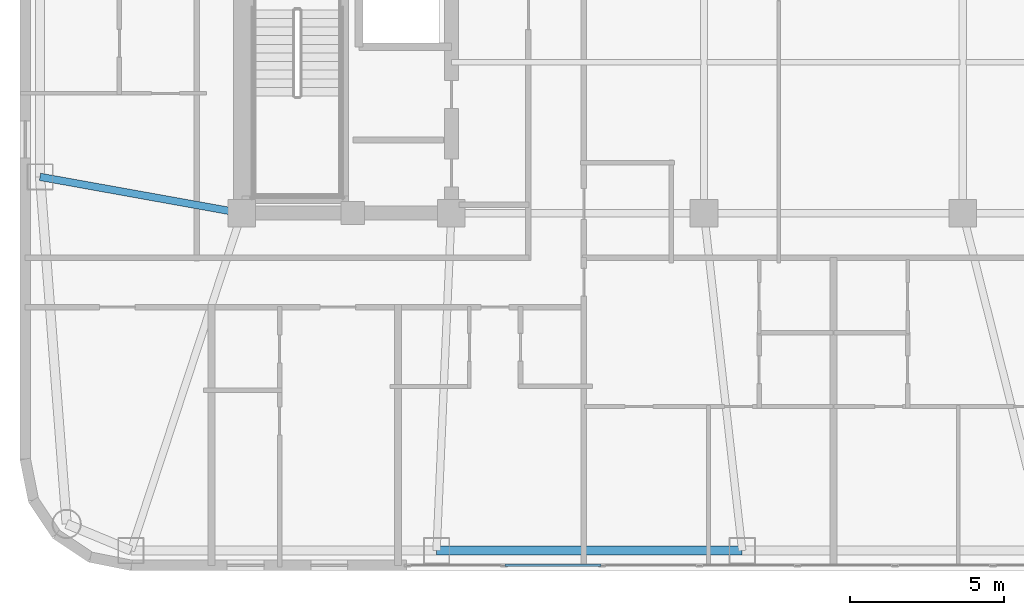
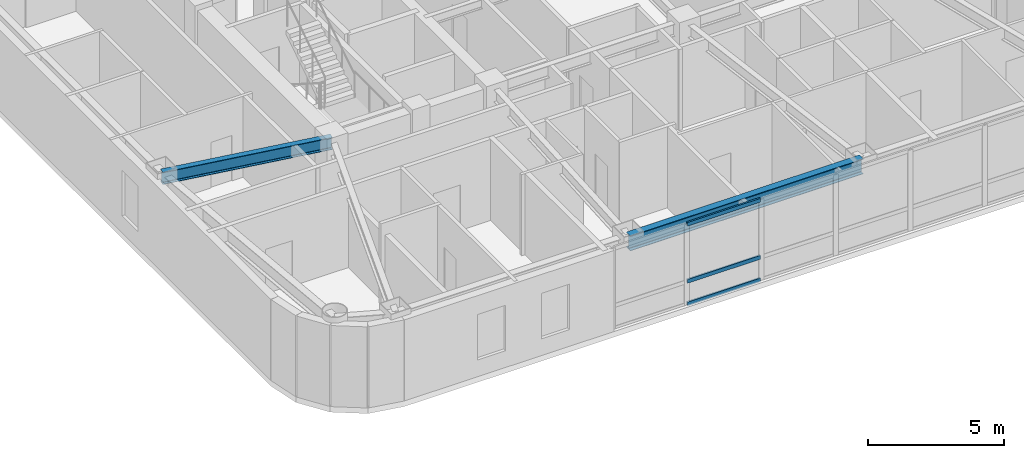
# One storey, part 3 of 17: 3 members, 2 beams, 1 element without a shape of its own.
"""IFC4 building model written with IfcOpenShell, lengths in metres."""

import ifcopenshell
import ifcopenshell.guid

model = None  # the IFC model being written
_history = None  # IfcOwnerHistory: only IFC2X3 demands one
_inside = {}  # id of a spatial element -> (the spatial element, [elements in it])
_under = {}  # id of a project, library or spatial element -> (it, [spatial elements below it])
_declared = {}  # id of a project -> (the project, [libraries it declares])
_typed = {}  # id of a type object -> (the type object, [elements of that type])
_made_of = {}  # id of a material, layer set ... -> (it, [elements and type objects made of it])


def new_model(schema):
    """Start an empty IFC model of exactly this schema.

    Asked for "IFC4X3", IfcOpenShell would pick the latest addendum, in which some entities
    have other attributes; the version numbers below select the first issue.
    IFC2X3 requires an IfcOwnerHistory on every rooted entity: one is made here for all.
    """
    global model, _history
    if schema == "IFC4X3":
        model = ifcopenshell.file(schema_version=(4, 3, 0, 0))
    else:
        model = ifcopenshell.file(schema=schema)
    _inside.clear()
    _under.clear()
    _declared.clear()
    _typed.clear()
    _made_of.clear()
    _history = None
    if model.schema == "IFC2X3":
        org = make("IfcOrganization", Name="unknown")
        user = make(
            "IfcPersonAndOrganization",
            ThePerson=make("IfcPerson", FamilyName="unknown"),
            TheOrganization=org,
        )
        app = make(
            "IfcApplication",
            ApplicationDeveloper=org,
            Version="unknown",
            ApplicationFullName="unknown",
            ApplicationIdentifier="unknown",
        )
        _history = make(
            "IfcOwnerHistory",
            OwningUser=user,
            OwningApplication=app,
            ChangeAction="ADDED",
            CreationDate=0,
        )
    return model


def make(cls, **values):
    """One entity of the class cls with the attributes given. An attribute that is None is left unset."""
    return model.create_entity(
        cls, **{name: value for name, value in values.items() if value is not None}
    )


def rooted(cls, **values):
    """An entity with a GlobalId (a new one), such as an element, a storey or a relation."""
    return make(cls, GlobalId=ifcopenshell.guid.new(), OwnerHistory=_history, **values)


def si_unit(unit_type, name, prefix=None):
    """IfcSIUnit, for example si_unit("LENGTHUNIT", "METRE", prefix="MILLI")."""
    return make("IfcSIUnit", UnitType=unit_type, Prefix=prefix, Name=name)


def assignment(units):
    """IfcUnitAssignment: the units of a project."""
    return None if units is None else make("IfcUnitAssignment", Units=units)


def point(xyz):
    """IfcCartesianPoint."""
    return None if xyz is None else make("IfcCartesianPoint", Coordinates=xyz)


def direction(xyz):
    """IfcDirection."""
    return None if xyz is None else make("IfcDirection", DirectionRatios=xyz)


def frame(location, z_axis=None, x_axis=None):
    """IfcAxis2Placement3D, a coordinate frame: its origin and axes. An axis left out is left unset."""
    return make(
        "IfcAxis2Placement3D",
        Location=point(location),
        Axis=direction(z_axis),
        RefDirection=direction(x_axis),
    )


def frame_2d(location, x_axis=None):
    """IfcAxis2Placement2D, a coordinate frame in the plane: its origin and x axis."""
    return make(
        "IfcAxis2Placement2D", Location=point(location), RefDirection=direction(x_axis)
    )


def origin():
    """The frame at (0, 0, 0) with its axes left unset."""
    return frame((0.0, 0.0, 0.0))


def origin_2d():
    """The frame at (0, 0) in the plane with its x axis left unset."""
    return frame_2d((0.0, 0.0))


def place(relative_to, where):
    """IfcLocalPlacement: puts the frame where relative to a parent placement (None: the world)."""
    return make(
        "IfcLocalPlacement", PlacementRelTo=relative_to, RelativePlacement=where
    )


def context(
    kind, dimensions, precision=None, world=None, true_north=None, identifier=None
):
    """IfcGeometricRepresentationContext, for example the 3D "Model" context."""
    return make(
        "IfcGeometricRepresentationContext",
        ContextIdentifier=identifier,
        ContextType=kind,
        CoordinateSpaceDimension=dimensions,
        Precision=precision,
        WorldCoordinateSystem=world,
        TrueNorth=true_north,
    )


def subcontext(parent, identifier, kind, view, scale=None):
    """IfcGeometricRepresentationSubContext, for example "Body" below "Model"."""
    return make(
        "IfcGeometricRepresentationSubContext",
        ContextIdentifier=identifier,
        ContextType=kind,
        ParentContext=parent,
        TargetScale=scale,
        TargetView=view,
    )


def project(units=None, contexts=None):
    """IfcProject with its units and contexts."""
    return rooted(
        "IfcProject",
        Name="project",
        RepresentationContexts=contexts,
        UnitsInContext=assignment(units),
    )


def spatial(cls, under=None, at=None, **own):
    """A site, building, storey or space (cls), placed at a placement, below another one or the project."""
    s = rooted(cls, ObjectPlacement=at, **own)
    if under is not None:
        _under.setdefault(under.id(), (under, []))[1].append(s)
    return s


def profile(cls, at=None, kind="AREA", **sizes):
    """A parametric profile (cls). Its sizes go by their IFC names, for example OverallWidth=200.0."""
    return make(cls, ProfileType=kind, Position=at, **sizes)


def hollow_rectangle(**sizes):
    """IfcRectangleHollowProfileDef."""
    return profile("IfcRectangleHollowProfileDef", **sizes)


def i_section(**sizes):
    """IfcIShapeProfileDef."""
    return profile("IfcIShapeProfileDef", **sizes)


def extrude(swept, where, along, depth):
    """IfcExtrudedAreaSolid: the profile swept, set in the frame where, extruded along a direction by depth."""
    return make(
        "IfcExtrudedAreaSolid",
        SweptArea=swept,
        Position=where,
        ExtrudedDirection=direction(along),
        Depth=depth,
    )


def shape(context_of_items, identifier, shape_type, items):
    """IfcShapeRepresentation: the items that make up one representation, for example the "Body"."""
    return make(
        "IfcShapeRepresentation",
        ContextOfItems=context_of_items,
        RepresentationIdentifier=identifier,
        RepresentationType=shape_type,
        Items=items,
    )


def material(Name=None, Category=None):
    """IfcMaterial."""
    return make("IfcMaterial", Name=Name, Category=Category)


def layer(
    of_material, thickness, ventilated=None, Name=None, Category=None, Priority=None
):
    """IfcMaterialLayer: one layer of a wall or slab, of a material (None: an air gap)."""
    return make(
        "IfcMaterialLayer",
        Material=of_material,
        LayerThickness=thickness,
        IsVentilated=ventilated,
        Name=Name,
        Category=Category,
        Priority=Priority,
    )


def layer_set(layers, Name=None):
    """IfcMaterialLayerSet."""
    return make("IfcMaterialLayerSet", MaterialLayers=layers, LayerSetName=Name)


def material_profile(
    of_material, cross_section, Name=None, Category=None, Priority=None
):
    """IfcMaterialProfile: a cross section and its material."""
    return make(
        "IfcMaterialProfile",
        Name=Name,
        Material=of_material,
        Profile=cross_section,
        Priority=Priority,
        Category=Category,
    )


def profile_set(profiles, Name=None, composite=None):
    """IfcMaterialProfileSet."""
    return make(
        "IfcMaterialProfileSet",
        Name=Name,
        MaterialProfiles=profiles,
        CompositeProfile=composite,
    )


def made_of(thing, what):
    """Note that an element or type object is made of a material, layer set ...; save() writes the relation."""
    if what is not None:
        _made_of.setdefault(what.id(), (what, []))[1].append(thing)
    return thing


def type_object(cls, material=None, **own):
    """A type object (cls), such as IfcWallType, which elements share."""
    return made_of(rooted(cls, **own), material)


def element(
    cls,
    number,
    at=None,
    inside=None,
    cuts=None,
    type_object=None,
    material=None,
    context=None,
    identifier="Body",
    shape_type=None,
    held_by="IfcProductDefinitionShape",
    body=None,
    shapes=None,
    **own,
):
    """One element of the class cls, such as IfcWall. Its Tag is "e" and its number.

    at: its placement. inside: the storey or other place that contains it. cuts: it is an
    opening in that element (IfcRelVoidsElement). A single representation is given by context,
    identifier, shape_type and body (its items); several are given by shapes. held_by: the class
    of the entity that holds the representations. save() writes the other relations.
    """
    e = rooted(cls, Tag="e%d" % number, ObjectPlacement=at, **own)
    if body is not None:
        shapes = [shape(context, identifier, shape_type, body)]
    if shapes is not None:
        e.Representation = make(held_by, Representations=shapes)
    if inside is not None:
        _inside.setdefault(inside.id(), (inside, []))[1].append(e)
    if cuts is not None:
        rooted(
            "IfcRelVoidsElement", RelatingBuildingElement=cuts, RelatedOpeningElement=e
        )
    if type_object is not None:
        _typed.setdefault(type_object.id(), (type_object, []))[1].append(e)
    return made_of(e, material)


def aggregate(whole, parts):
    """IfcRelAggregates: a whole, such as a stair, and the parts it consists of."""
    return rooted("IfcRelAggregates", RelatingObject=whole, RelatedObjects=parts)


def save(model, path):
    """Write the relations noted so far, then the file.

    IfcRelAggregates (storeys below a building ...), IfcRelContainedInSpatialStructure (elements
    in a storey), IfcRelDefinesByType, IfcRelAssociatesMaterial and IfcRelDeclares: one each for
    every whole, place, type object, material and project.
    """
    for whole, parts in _under.values():
        aggregate(whole, parts)
    for where, things in _inside.values():
        rooted(
            "IfcRelContainedInSpatialStructure",
            RelatedElements=things,
            RelatingStructure=where,
        )
    for kind, things in _typed.values():
        rooted("IfcRelDefinesByType", RelatedObjects=things, RelatingType=kind)
    for what, things in _made_of.values():
        rooted("IfcRelAssociatesMaterial", RelatedObjects=things, RelatingMaterial=what)
    for by, libraries in _declared.values():
        rooted("IfcRelDeclares", RelatingContext=by, RelatedDefinitions=libraries)
    model.write(path)


model = new_model("IFC4")

# Units and contexts
model_context = context("Model", 3, precision=1e-05, world=origin(), true_north=direction((0.0, 1.0)))
body_context = subcontext(model_context, "Body", "Model", "MODEL_VIEW")
ifc_project = project(units=[si_unit("LENGTHUNIT", "METRE"), si_unit("AREAUNIT", "SQUARE_METRE"), si_unit("VOLUMEUNIT", "CUBIC_METRE"), si_unit("PLANEANGLEUNIT", "RADIAN"), si_unit("MASSUNIT", "GRAM", prefix="KILO")], contexts=[model_context])

# Site, building, storey
site_placement = place(None, origin())
site = spatial("IfcSite", under=ifc_project, at=site_placement, CompositionType="ELEMENT")
building_placement = place(site_placement, origin())
building = spatial("IfcBuilding", under=site, at=building_placement, Name="Voryun Gate Residences", CompositionType="ELEMENT")
storey_placement = place(building_placement, frame((0.0, 0.0, 204.10009765625)))
storey = spatial("IfcBuildingStorey", under=building, at=storey_placement, Name="L50", CompositionType="ELEMENT", Elevation=204.10009765625)

# Beams
ifc_material_1 = material(Name="Steel SM355", Category="steel")
ifc_material_profile_1 = material_profile(ifc_material_1, i_section(OverallWidth=0.300048828125, OverallDepth=0.679931640625, WebThickness=0.013916015625, FlangeThickness=0.02490234375, FilletRadius=0.01806640625, at=origin_2d()), Name="H-680x300x14x25")
ifc_profile_set_1 = profile_set([ifc_material_profile_1], Name="Steel SM355")
beam_type_1 = type_object("IfcBeamType", Name="BM_EXO_SPANDREL_M", PredefinedType="SPANDREL", material=ifc_profile_set_1)
beam_1_placement = place(storey_placement, frame((-12.8798828125, -18.35009765625, 3.309814453125), z_axis=(1.0, 0.0, 0.0), x_axis=(0.0, 1.0, 0.0)))
element("IfcBeam", 1, at=beam_1_placement, inside=storey, type_object=beam_type_1, Name="BM-L50-SPAND-02", PredefinedType="SPANDREL", context=body_context, shape_type="SweptSolid", body=[
    extrude(i_section(OverallWidth=0.300048828125, OverallDepth=0.679931640625, WebThickness=0.013916015625, FlangeThickness=0.02490234375, FilletRadius=0.01806640625, at=origin_2d()), origin(), (0.0, 0.0, 1.0), 9.919921875),
])
ifc_material_2 = material(Name="Steel SM355", Category="steel")
ifc_material_profile_2 = material_profile(ifc_material_2, i_section(OverallWidth=0.239990234375, OverallDepth=0.550048828125, WebThickness=0.011962890625, FlangeThickness=0.02001953125, FilletRadius=0.01806640625, at=origin_2d()), Name="H-550x240x12x20")
ifc_profile_set_2 = profile_set([ifc_material_profile_2], Name="Steel SM355")
beam_type_2 = type_object("IfcBeamType", Name="BM_GIRD_550", PredefinedType="USERDEFINED", material=ifc_profile_set_2)
beam_2_placement = place(storey_placement, frame((-19.199951171875, -7.39990234375, 3.375), z_axis=(-0.984210303638, 0.177003045773, 0.0), x_axis=(-0.177003045773, -0.984210303638, 0.0)))
element("IfcBeam", 2, at=beam_2_placement, inside=storey, type_object=beam_type_2, Name="BM-L50-RAD-W2", ObjectType="GIRDER", PredefinedType="USERDEFINED", context=body_context, shape_type="SweptSolid", body=[
    extrude(i_section(OverallWidth=0.239990234375, OverallDepth=0.550048828125, WebThickness=0.011962890625, FlangeThickness=0.02001953125, FilletRadius=0.01806640625, at=origin_2d()), origin(), (0.0, 0.0, 1.0), 6.655029296875),
])

# Curtain wall, members
ifc_material_3 = material(Name="Anodised aluminium", Category="aluminium")
ifc_layer = layer(ifc_material_3, 0.2099609375, Name="CW_SYS_SKYGARDEN_DARK_GLASS")
ifc_layer_set = layer_set([ifc_layer], Name="Anodised aluminium")
curtain_wall_type = type_object("IfcCurtainWallType", Name="CW_SYS_SKYGARDEN_DARK_GLASS", PredefinedType="NOTDEFINED", material=ifc_layer_set)
curtain_wall_placement = place(storey_placement, origin())
curtain_wall = element("IfcCurtainWall", 3, at=curtain_wall_placement, inside=storey, type_object=curtain_wall_type, Name="Curtain wall CW5-L50-SG-01", PredefinedType="NOTDEFINED")
ifc_material_4 = material(Name="Anodised aluminium", Category="aluminium")
ifc_material_profile_3 = material_profile(ifc_material_4, hollow_rectangle(XDim=0.074951171875, YDim=0.169921875, WallThickness=0.0048828125, at=origin_2d()), Name="ALU-TRAN-170x75x5")
ifc_profile_set_3 = profile_set([ifc_material_profile_3], Name="Anodised aluminium")
member_type = type_object("IfcMemberType", Name="CW_TRAN_SKY", PredefinedType="USERDEFINED", material=ifc_profile_set_3)
member_1_placement = place(storey_placement, frame((-7.546875, -18.830078125, 0.02978515625), z_axis=(-1.0, 0.0, 0.0), x_axis=(0.0, -1.0, 0.0)))
member_1 = element("IfcMember", 4, at=member_1_placement, type_object=member_type, Name="CW5 transom 9.1", ObjectType="TRANSOM", PredefinedType="USERDEFINED", context=body_context, shape_type="SweptSolid", body=[
    extrude(hollow_rectangle(XDim=0.074951171875, YDim=0.169921875, WallThickness=0.0048828125, at=origin_2d()), origin(), (0.0, 0.0, 1.0), 3.112060546875),
])
member_2_placement = place(storey_placement, frame((-7.546875, -18.830078125, 1.0498046875), z_axis=(-1.0, 0.0, 0.0), x_axis=(0.0, -1.0, 0.0)))
member_2 = element("IfcMember", 5, at=member_2_placement, type_object=member_type, Name="CW5 transom 9.2", ObjectType="TRANSOM", PredefinedType="USERDEFINED", context=body_context, shape_type="SweptSolid", body=[
    extrude(hollow_rectangle(XDim=0.074951171875, YDim=0.169921875, WallThickness=0.0048828125, at=origin_2d()), origin(), (0.0, 0.0, 1.0), 3.112060546875),
])
member_3_placement = place(storey_placement, frame((-7.546875, -18.830078125, 3.619873046875), z_axis=(-1.0, 0.0, 0.0), x_axis=(0.0, -1.0, 0.0)))
member_3 = element("IfcMember", 6, at=member_3_placement, type_object=member_type, Name="CW5 transom 9.3", ObjectType="TRANSOM", PredefinedType="USERDEFINED", context=body_context, shape_type="SweptSolid", body=[
    extrude(hollow_rectangle(XDim=0.074951171875, YDim=0.169921875, WallThickness=0.0048828125, at=origin_2d()), origin(), (0.0, 0.0, 1.0), 3.112060546875),
])
aggregate(curtain_wall, [member_1, member_2, member_3])

save(model, "model.ifc")
